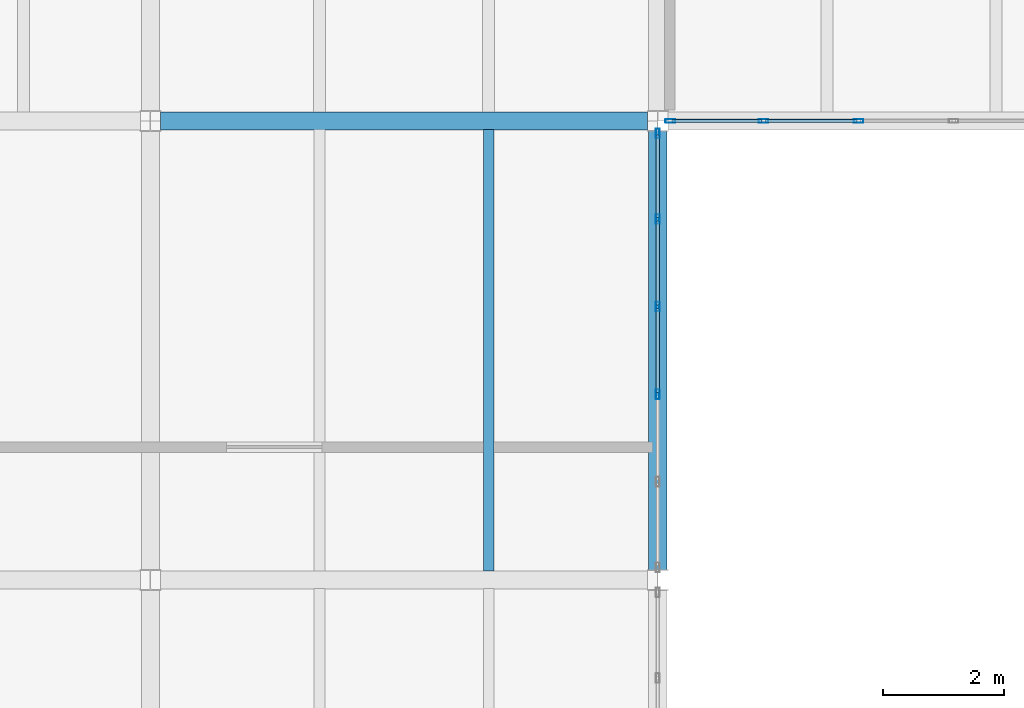
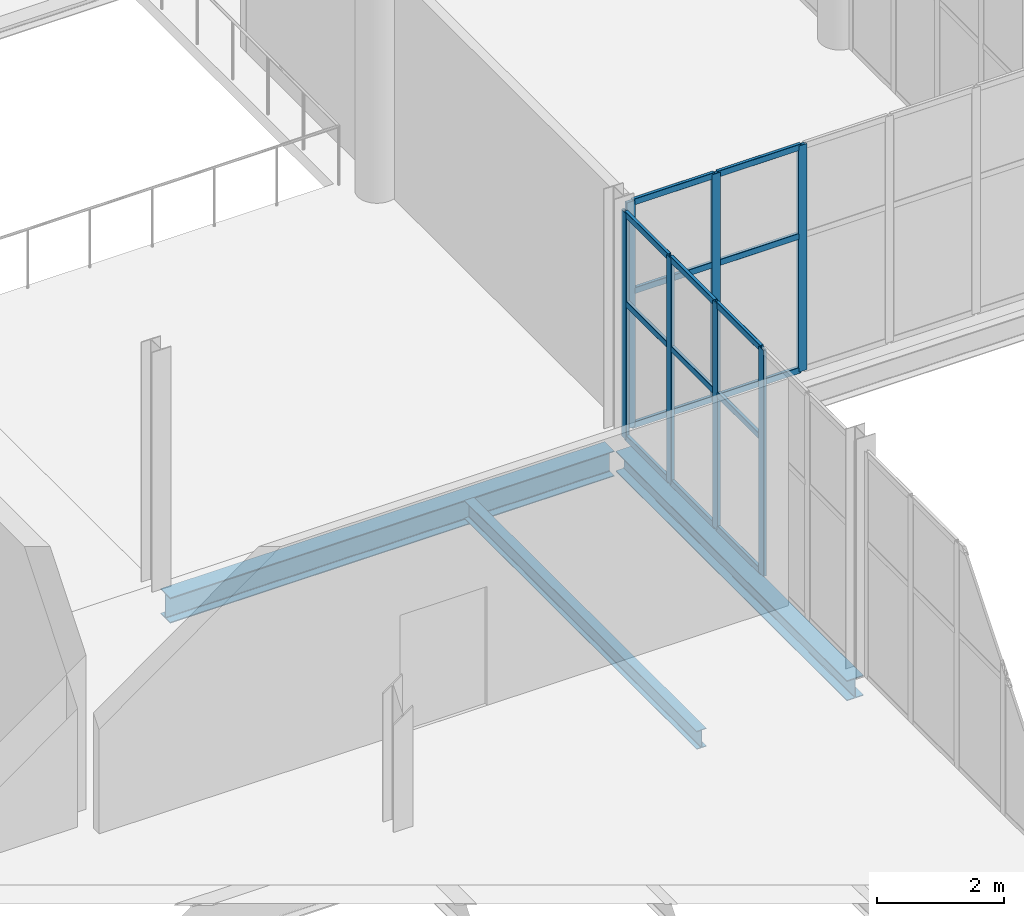
# One storey, part 16 of 74: 22 members, 3 beams, 2 elements without a shape of their own.
"""IFC4 building model written with IfcOpenShell, lengths in metres."""

import ifcopenshell
import ifcopenshell.guid

model = None  # the IFC model being written
_history = None  # IfcOwnerHistory: only IFC2X3 demands one
_inside = {}  # id of a spatial element -> (the spatial element, [elements in it])
_under = {}  # id of a project, library or spatial element -> (it, [spatial elements below it])
_declared = {}  # id of a project -> (the project, [libraries it declares])
_typed = {}  # id of a type object -> (the type object, [elements of that type])
_made_of = {}  # id of a material, layer set ... -> (it, [elements and type objects made of it])


def new_model(schema):
    """Start an empty IFC model of exactly this schema.

    Asked for "IFC4X3", IfcOpenShell would pick the latest addendum, in which some entities
    have other attributes; the version numbers below select the first issue.
    IFC2X3 requires an IfcOwnerHistory on every rooted entity: one is made here for all.
    """
    global model, _history
    if schema == "IFC4X3":
        model = ifcopenshell.file(schema_version=(4, 3, 0, 0))
    else:
        model = ifcopenshell.file(schema=schema)
    _inside.clear()
    _under.clear()
    _declared.clear()
    _typed.clear()
    _made_of.clear()
    _history = None
    if model.schema == "IFC2X3":
        org = make("IfcOrganization", Name="unknown")
        user = make(
            "IfcPersonAndOrganization",
            ThePerson=make("IfcPerson", FamilyName="unknown"),
            TheOrganization=org,
        )
        app = make(
            "IfcApplication",
            ApplicationDeveloper=org,
            Version="unknown",
            ApplicationFullName="unknown",
            ApplicationIdentifier="unknown",
        )
        _history = make(
            "IfcOwnerHistory",
            OwningUser=user,
            OwningApplication=app,
            ChangeAction="ADDED",
            CreationDate=0,
        )
    return model


def make(cls, **values):
    """One entity of the class cls with the attributes given. An attribute that is None is left unset."""
    return model.create_entity(
        cls, **{name: value for name, value in values.items() if value is not None}
    )


def rooted(cls, **values):
    """An entity with a GlobalId (a new one), such as an element, a storey or a relation."""
    return make(cls, GlobalId=ifcopenshell.guid.new(), OwnerHistory=_history, **values)


def si_unit(unit_type, name, prefix=None):
    """IfcSIUnit, for example si_unit("LENGTHUNIT", "METRE", prefix="MILLI")."""
    return make("IfcSIUnit", UnitType=unit_type, Prefix=prefix, Name=name)


def assignment(units):
    """IfcUnitAssignment: the units of a project."""
    return None if units is None else make("IfcUnitAssignment", Units=units)


def point(xyz):
    """IfcCartesianPoint."""
    return None if xyz is None else make("IfcCartesianPoint", Coordinates=xyz)


def direction(xyz):
    """IfcDirection."""
    return None if xyz is None else make("IfcDirection", DirectionRatios=xyz)


def frame(location, z_axis=None, x_axis=None):
    """IfcAxis2Placement3D, a coordinate frame: its origin and axes. An axis left out is left unset."""
    return make(
        "IfcAxis2Placement3D",
        Location=point(location),
        Axis=direction(z_axis),
        RefDirection=direction(x_axis),
    )


def frame_2d(location, x_axis=None):
    """IfcAxis2Placement2D, a coordinate frame in the plane: its origin and x axis."""
    return make(
        "IfcAxis2Placement2D", Location=point(location), RefDirection=direction(x_axis)
    )


def origin():
    """The frame at (0, 0, 0) with its axes left unset."""
    return frame((0.0, 0.0, 0.0))


def origin_2d():
    """The frame at (0, 0) in the plane with its x axis left unset."""
    return frame_2d((0.0, 0.0))


def place(relative_to, where):
    """IfcLocalPlacement: puts the frame where relative to a parent placement (None: the world)."""
    return make(
        "IfcLocalPlacement", PlacementRelTo=relative_to, RelativePlacement=where
    )


def context(
    kind, dimensions, precision=None, world=None, true_north=None, identifier=None
):
    """IfcGeometricRepresentationContext, for example the 3D "Model" context."""
    return make(
        "IfcGeometricRepresentationContext",
        ContextIdentifier=identifier,
        ContextType=kind,
        CoordinateSpaceDimension=dimensions,
        Precision=precision,
        WorldCoordinateSystem=world,
        TrueNorth=true_north,
    )


def subcontext(parent, identifier, kind, view, scale=None):
    """IfcGeometricRepresentationSubContext, for example "Body" below "Model"."""
    return make(
        "IfcGeometricRepresentationSubContext",
        ContextIdentifier=identifier,
        ContextType=kind,
        ParentContext=parent,
        TargetScale=scale,
        TargetView=view,
    )


def project(units=None, contexts=None):
    """IfcProject with its units and contexts."""
    return rooted(
        "IfcProject",
        Name="project",
        RepresentationContexts=contexts,
        UnitsInContext=assignment(units),
    )


def spatial(cls, under=None, at=None, **own):
    """A site, building, storey or space (cls), placed at a placement, below another one or the project."""
    s = rooted(cls, ObjectPlacement=at, **own)
    if under is not None:
        _under.setdefault(under.id(), (under, []))[1].append(s)
    return s


def profile(cls, at=None, kind="AREA", **sizes):
    """A parametric profile (cls). Its sizes go by their IFC names, for example OverallWidth=200.0."""
    return make(cls, ProfileType=kind, Position=at, **sizes)


def hollow_rectangle(**sizes):
    """IfcRectangleHollowProfileDef."""
    return profile("IfcRectangleHollowProfileDef", **sizes)


def i_section(**sizes):
    """IfcIShapeProfileDef."""
    return profile("IfcIShapeProfileDef", **sizes)


def extrude(swept, where, along, depth):
    """IfcExtrudedAreaSolid: the profile swept, set in the frame where, extruded along a direction by depth."""
    return make(
        "IfcExtrudedAreaSolid",
        SweptArea=swept,
        Position=where,
        ExtrudedDirection=direction(along),
        Depth=depth,
    )


def shape(context_of_items, identifier, shape_type, items):
    """IfcShapeRepresentation: the items that make up one representation, for example the "Body"."""
    return make(
        "IfcShapeRepresentation",
        ContextOfItems=context_of_items,
        RepresentationIdentifier=identifier,
        RepresentationType=shape_type,
        Items=items,
    )


def material(Name=None, Category=None):
    """IfcMaterial."""
    return make("IfcMaterial", Name=Name, Category=Category)


def material_profile(
    of_material, cross_section, Name=None, Category=None, Priority=None
):
    """IfcMaterialProfile: a cross section and its material."""
    return make(
        "IfcMaterialProfile",
        Name=Name,
        Material=of_material,
        Profile=cross_section,
        Priority=Priority,
        Category=Category,
    )


def profile_set(profiles, Name=None, composite=None):
    """IfcMaterialProfileSet."""
    return make(
        "IfcMaterialProfileSet",
        Name=Name,
        MaterialProfiles=profiles,
        CompositeProfile=composite,
    )


def made_of(thing, what):
    """Note that an element or type object is made of a material, layer set ...; save() writes the relation."""
    if what is not None:
        _made_of.setdefault(what.id(), (what, []))[1].append(thing)
    return thing


def type_object(cls, material=None, **own):
    """A type object (cls), such as IfcWallType, which elements share."""
    return made_of(rooted(cls, **own), material)


def element(
    cls,
    number,
    at=None,
    inside=None,
    cuts=None,
    type_object=None,
    material=None,
    context=None,
    identifier="Body",
    shape_type=None,
    held_by="IfcProductDefinitionShape",
    body=None,
    shapes=None,
    **own,
):
    """One element of the class cls, such as IfcWall. Its Tag is "e" and its number.

    at: its placement. inside: the storey or other place that contains it. cuts: it is an
    opening in that element (IfcRelVoidsElement). A single representation is given by context,
    identifier, shape_type and body (its items); several are given by shapes. held_by: the class
    of the entity that holds the representations. save() writes the other relations.
    """
    e = rooted(cls, Tag="e%d" % number, ObjectPlacement=at, **own)
    if body is not None:
        shapes = [shape(context, identifier, shape_type, body)]
    if shapes is not None:
        e.Representation = make(held_by, Representations=shapes)
    if inside is not None:
        _inside.setdefault(inside.id(), (inside, []))[1].append(e)
    if cuts is not None:
        rooted(
            "IfcRelVoidsElement", RelatingBuildingElement=cuts, RelatedOpeningElement=e
        )
    if type_object is not None:
        _typed.setdefault(type_object.id(), (type_object, []))[1].append(e)
    return made_of(e, material)


def aggregate(whole, parts):
    """IfcRelAggregates: a whole, such as a stair, and the parts it consists of."""
    return rooted("IfcRelAggregates", RelatingObject=whole, RelatedObjects=parts)


def save(model, path):
    """Write the relations noted so far, then the file.

    IfcRelAggregates (storeys below a building ...), IfcRelContainedInSpatialStructure (elements
    in a storey), IfcRelDefinesByType, IfcRelAssociatesMaterial and IfcRelDeclares: one each for
    every whole, place, type object, material and project.
    """
    for whole, parts in _under.values():
        aggregate(whole, parts)
    for where, things in _inside.values():
        rooted(
            "IfcRelContainedInSpatialStructure",
            RelatedElements=things,
            RelatingStructure=where,
        )
    for kind, things in _typed.values():
        rooted("IfcRelDefinesByType", RelatedObjects=things, RelatingType=kind)
    for what, things in _made_of.values():
        rooted("IfcRelAssociatesMaterial", RelatedObjects=things, RelatingMaterial=what)
    for by, libraries in _declared.values():
        rooted("IfcRelDeclares", RelatingContext=by, RelatedDefinitions=libraries)
    model.write(path)


model = new_model("IFC4")

# Units and contexts
model_context = context("Model", 3, precision=1e-05, world=origin(), true_north=direction((0.0, 1.0)))
body_context = subcontext(model_context, "Body", "Model", "MODEL_VIEW")
ifc_project = project(units=[si_unit("LENGTHUNIT", "METRE"), si_unit("AREAUNIT", "SQUARE_METRE"), si_unit("VOLUMEUNIT", "CUBIC_METRE"), si_unit("PLANEANGLEUNIT", "RADIAN"), si_unit("MASSUNIT", "GRAM", prefix="KILO")], contexts=[model_context])

# Site, building, storey
site_placement = place(None, origin())
site = spatial("IfcSite", under=ifc_project, at=site_placement, CompositionType="ELEMENT")
building_placement = place(site_placement, origin())
building = spatial("IfcBuilding", under=site, at=building_placement, Name="Shengluoqiao Park Theatre", CompositionType="ELEMENT")
storey_placement = place(building_placement, frame((0.0, 0.0, 14.60009765625)))
storey = spatial("IfcBuildingStorey", under=building, at=storey_placement, Name="L03", CompositionType="ELEMENT", Elevation=14.60009765625)

# Curtain wall, members
ifc_material_1 = material(Name="Aluminium 6063-T6", Category="aluminium")
curtain_wall_type_1 = type_object("IfcCurtainWallType", Name="ENV-CW-COURT", PredefinedType="NOTDEFINED", material=ifc_material_1)
curtain_wall_1_placement = place(storey_placement, origin())
curtain_wall_1 = element("IfcCurtainWall", 1, at=curtain_wall_1_placement, inside=storey, type_object=curtain_wall_type_1, Name="L03 Curtain Wall CWX-L03-0035", PredefinedType="NOTDEFINED")
ifc_material_profile_1 = material_profile(ifc_material_1, hollow_rectangle(XDim=0.06005859375, YDim=0.159912109375, WallThickness=0.00390625, InnerFilletRadius=0.00390625, OuterFilletRadius=0.008056640625, at=origin_2d()), Name="ALU MULLION 160x60x4")
ifc_profile_set_1 = profile_set([ifc_material_profile_1], Name="Aluminium 6063-T6")
member_type_1 = type_object("IfcMemberType", Name="ENV-MUL-160", PredefinedType="MULLION", material=ifc_profile_set_1)
member_1_placement = place(storey_placement, frame((36.0, 48.67529296875, 0.0), z_axis=(0.0, 0.0, 1.0), x_axis=(-1.0, 0.0, 0.0)))
member_1 = element("IfcMember", 2, at=member_1_placement, type_object=member_type_1, Name="CW-05 mullion 3", PredefinedType="MULLION", context=body_context, shape_type="SweptSolid", body=[
    extrude(hollow_rectangle(XDim=0.06005859375, YDim=0.159912109375, WallThickness=0.00390625, InnerFilletRadius=0.00390625, OuterFilletRadius=0.008056640625, at=origin_2d()), origin(), (0.0, 0.0, 1.0), 4.33984375),
])
member_2_placement = place(storey_placement, frame((36.0, 50.124755859375, 0.0), z_axis=(0.0, 0.0, 1.0), x_axis=(-1.0, 0.0, 0.0)))
member_2 = element("IfcMember", 3, at=member_2_placement, type_object=member_type_1, Name="CW-05 mullion 4", PredefinedType="MULLION", context=body_context, shape_type="SweptSolid", body=[
    extrude(hollow_rectangle(XDim=0.06005859375, YDim=0.159912109375, WallThickness=0.00390625, InnerFilletRadius=0.00390625, OuterFilletRadius=0.008056640625, at=origin_2d()), origin(), (0.0, 0.0, 1.0), 4.33984375),
])
member_3_placement = place(storey_placement, frame((36.0, 51.574462890625, 0.0), z_axis=(0.0, 0.0, 1.0), x_axis=(-1.0, 0.0, 0.0)))
member_3 = element("IfcMember", 4, at=member_3_placement, type_object=member_type_1, Name="CW-05 mullion 5", PredefinedType="MULLION", context=body_context, shape_type="SweptSolid", body=[
    extrude(hollow_rectangle(XDim=0.06005859375, YDim=0.159912109375, WallThickness=0.00390625, InnerFilletRadius=0.00390625, OuterFilletRadius=0.008056640625, at=origin_2d()), origin(), (0.0, 0.0, 1.0), 4.33984375),
])
member_4_placement = place(storey_placement, frame((36.0, 52.993896484375, 0.0), z_axis=(0.0, 0.0, 1.0), x_axis=(-1.0, 0.0, 0.0)))
member_4 = element("IfcMember", 5, at=member_4_placement, type_object=member_type_1, Name="CW-05 mullion 6", PredefinedType="MULLION", context=body_context, shape_type="SweptSolid", body=[
    extrude(hollow_rectangle(XDim=0.06005859375, YDim=0.159912109375, WallThickness=0.00390625, InnerFilletRadius=0.00390625, OuterFilletRadius=0.008056640625, at=origin_2d()), origin(), (0.0, 0.0, 1.0), 4.33984375),
])

curtain_wall_type_2 = type_object("IfcCurtainWallType", Name="ENV-CW-FOYER", PredefinedType="NOTDEFINED", material=ifc_material_1)
curtain_wall_2_placement = place(storey_placement, origin())
curtain_wall_2 = element("IfcCurtainWall", 6, at=curtain_wall_2_placement, inside=storey, type_object=curtain_wall_type_2, Name="L03 Curtain Wall CWX-L03-0217", PredefinedType="NOTDEFINED")
member_5_placement = place(storey_placement, frame((36.2080078125, 53.199951171875, 0.0), z_axis=(0.0, 0.0, 1.0), x_axis=(0.0, 1.0, 0.0)))
member_5 = element("IfcMember", 7, at=member_5_placement, type_object=member_type_1, Name="CW-01 mullion 1", PredefinedType="MULLION", context=body_context, shape_type="SweptSolid", body=[
    extrude(hollow_rectangle(XDim=0.06005859375, YDim=0.159912109375, WallThickness=0.00390625, InnerFilletRadius=0.00390625, OuterFilletRadius=0.008056640625, at=origin_2d()), origin(), (0.0, 0.0, 1.0), 4.33984375),
])
member_6_placement = place(storey_placement, frame((37.751708984375, 53.199951171875, 0.0), z_axis=(0.0, 0.0, 1.0), x_axis=(0.0, 1.0, 0.0)))
member_6 = element("IfcMember", 8, at=member_6_placement, type_object=member_type_1, Name="CW-01 mullion 2", PredefinedType="MULLION", context=body_context, shape_type="SweptSolid", body=[
    extrude(hollow_rectangle(XDim=0.06005859375, YDim=0.159912109375, WallThickness=0.00390625, InnerFilletRadius=0.00390625, OuterFilletRadius=0.008056640625, at=origin_2d()), origin(), (0.0, 0.0, 1.0), 4.33984375),
])
member_7_placement = place(storey_placement, frame((39.3251953125, 53.199951171875, 0.0), z_axis=(0.0, 0.0, 1.0), x_axis=(0.0, 1.0, 0.0)))
member_7 = element("IfcMember", 9, at=member_7_placement, type_object=member_type_1, Name="CW-01 mullion 3", PredefinedType="MULLION", context=body_context, shape_type="SweptSolid", body=[
    extrude(hollow_rectangle(XDim=0.06005859375, YDim=0.159912109375, WallThickness=0.00390625, InnerFilletRadius=0.00390625, OuterFilletRadius=0.008056640625, at=origin_2d()), origin(), (0.0, 0.0, 1.0), 4.33984375),
])

# Member
ifc_material_profile_2 = material_profile(ifc_material_1, hollow_rectangle(XDim=0.06005859375, YDim=0.1201171875, WallThickness=0.00390625, InnerFilletRadius=0.00390625, OuterFilletRadius=0.008056640625, at=origin_2d()), Name="ALU TRANSOM 120x60x4")
ifc_profile_set_2 = profile_set([ifc_material_profile_2], Name="Aluminium 6063-T6")
member_type_2 = type_object("IfcMemberType", Name="ENV-TRN-120", PredefinedType="USERDEFINED", material=ifc_profile_set_2)
member_8_placement = place(storey_placement, frame((36.0, 48.705078125, 0.02978515625), z_axis=(0.0, 1.0, 0.0), x_axis=(-1.0, 0.0, 0.0)))
member_8 = element("IfcMember", 10, at=member_8_placement, type_object=member_type_2, Name="CW-05 transom 3.1", ObjectType="TRANSOM", PredefinedType="USERDEFINED", context=body_context, shape_type="SweptSolid", body=[
    extrude(hollow_rectangle(XDim=0.06005859375, YDim=0.1201171875, WallThickness=0.00390625, InnerFilletRadius=0.00390625, OuterFilletRadius=0.008056640625, at=origin_2d()), origin(), (0.0, 0.0, 1.0), 1.3896484375),
])

member_9_placement = place(storey_placement, frame((36.0, 48.705078125, 2.60400390625), z_axis=(0.0, 1.0, 0.0), x_axis=(-1.0, 0.0, 0.0)))
member_9 = element("IfcMember", 11, at=member_9_placement, type_object=member_type_2, Name="CW-05 transom 3.2", ObjectType="TRANSOM", PredefinedType="USERDEFINED", context=body_context, shape_type="SweptSolid", body=[
    extrude(hollow_rectangle(XDim=0.06005859375, YDim=0.1201171875, WallThickness=0.00390625, InnerFilletRadius=0.00390625, OuterFilletRadius=0.008056640625, at=origin_2d()), origin(), (0.0, 0.0, 1.0), 1.3896484375),
])

member_10_placement = place(storey_placement, frame((36.0, 48.705078125, 4.309814453125), z_axis=(0.0, 1.0, 0.0), x_axis=(-1.0, 0.0, 0.0)))
member_10 = element("IfcMember", 12, at=member_10_placement, type_object=member_type_2, Name="CW-05 transom 3.3", ObjectType="TRANSOM", PredefinedType="USERDEFINED", context=body_context, shape_type="SweptSolid", body=[
    extrude(hollow_rectangle(XDim=0.06005859375, YDim=0.1201171875, WallThickness=0.00390625, InnerFilletRadius=0.00390625, OuterFilletRadius=0.008056640625, at=origin_2d()), origin(), (0.0, 0.0, 1.0), 1.3896484375),
])

member_11_placement = place(storey_placement, frame((36.0, 50.15478515625, 0.02978515625), z_axis=(0.0, 1.0, 0.0), x_axis=(-1.0, 0.0, 0.0)))
member_11 = element("IfcMember", 13, at=member_11_placement, type_object=member_type_2, Name="CW-05 transom 4.1", ObjectType="TRANSOM", PredefinedType="USERDEFINED", context=body_context, shape_type="SweptSolid", body=[
    extrude(hollow_rectangle(XDim=0.06005859375, YDim=0.1201171875, WallThickness=0.00390625, InnerFilletRadius=0.00390625, OuterFilletRadius=0.008056640625, at=origin_2d()), origin(), (0.0, 0.0, 1.0), 1.3896484375),
])

member_12_placement = place(storey_placement, frame((36.0, 50.15478515625, 2.60400390625), z_axis=(0.0, 1.0, 0.0), x_axis=(-1.0, 0.0, 0.0)))
member_12 = element("IfcMember", 14, at=member_12_placement, type_object=member_type_2, Name="CW-05 transom 4.2", ObjectType="TRANSOM", PredefinedType="USERDEFINED", context=body_context, shape_type="SweptSolid", body=[
    extrude(hollow_rectangle(XDim=0.06005859375, YDim=0.1201171875, WallThickness=0.00390625, InnerFilletRadius=0.00390625, OuterFilletRadius=0.008056640625, at=origin_2d()), origin(), (0.0, 0.0, 1.0), 1.3896484375),
])

member_13_placement = place(storey_placement, frame((36.0, 50.15478515625, 4.309814453125), z_axis=(0.0, 1.0, 0.0), x_axis=(-1.0, 0.0, 0.0)))
member_13 = element("IfcMember", 15, at=member_13_placement, type_object=member_type_2, Name="CW-05 transom 4.3", ObjectType="TRANSOM", PredefinedType="USERDEFINED", context=body_context, shape_type="SweptSolid", body=[
    extrude(hollow_rectangle(XDim=0.06005859375, YDim=0.1201171875, WallThickness=0.00390625, InnerFilletRadius=0.00390625, OuterFilletRadius=0.008056640625, at=origin_2d()), origin(), (0.0, 0.0, 1.0), 1.3896484375),
])

member_14_placement = place(storey_placement, frame((36.0, 51.6044921875, 0.02978515625), z_axis=(0.0, 1.0, 0.0), x_axis=(-1.0, 0.0, 0.0)))
member_14 = element("IfcMember", 16, at=member_14_placement, type_object=member_type_2, Name="CW-05 transom 5.1", ObjectType="TRANSOM", PredefinedType="USERDEFINED", context=body_context, shape_type="SweptSolid", body=[
    extrude(hollow_rectangle(XDim=0.06005859375, YDim=0.1201171875, WallThickness=0.00390625, InnerFilletRadius=0.00390625, OuterFilletRadius=0.008056640625, at=origin_2d()), origin(), (0.0, 0.0, 1.0), 1.359619140625),
])

member_15_placement = place(storey_placement, frame((36.0, 51.6044921875, 2.60400390625), z_axis=(0.0, 1.0, 0.0), x_axis=(-1.0, 0.0, 0.0)))
member_15 = element("IfcMember", 17, at=member_15_placement, type_object=member_type_2, Name="CW-05 transom 5.2", ObjectType="TRANSOM", PredefinedType="USERDEFINED", context=body_context, shape_type="SweptSolid", body=[
    extrude(hollow_rectangle(XDim=0.06005859375, YDim=0.1201171875, WallThickness=0.00390625, InnerFilletRadius=0.00390625, OuterFilletRadius=0.008056640625, at=origin_2d()), origin(), (0.0, 0.0, 1.0), 1.359619140625),
])

member_16_placement = place(storey_placement, frame((36.0, 51.6044921875, 4.309814453125), z_axis=(0.0, 1.0, 0.0), x_axis=(-1.0, 0.0, 0.0)))
member_16 = element("IfcMember", 18, at=member_16_placement, type_object=member_type_2, Name="CW-05 transom 5.3", ObjectType="TRANSOM", PredefinedType="USERDEFINED", context=body_context, shape_type="SweptSolid", body=[
    extrude(hollow_rectangle(XDim=0.06005859375, YDim=0.1201171875, WallThickness=0.00390625, InnerFilletRadius=0.00390625, OuterFilletRadius=0.008056640625, at=origin_2d()), origin(), (0.0, 0.0, 1.0), 1.359619140625),
])

aggregate(curtain_wall_1, [member_1, member_2, member_3, member_4, member_8, member_9, member_10, member_11, member_12, member_13, member_14, member_15, member_16])

member_17_placement = place(storey_placement, frame((36.238037109375, 53.199951171875, 0.02978515625), z_axis=(1.0, 0.0, 0.0), x_axis=(0.0, 1.0, 0.0)))
member_17 = element("IfcMember", 19, at=member_17_placement, type_object=member_type_2, Name="CW-01 transom 1.1", ObjectType="TRANSOM", PredefinedType="USERDEFINED", context=body_context, shape_type="SweptSolid", body=[
    extrude(hollow_rectangle(XDim=0.06005859375, YDim=0.1201171875, WallThickness=0.00390625, InnerFilletRadius=0.00390625, OuterFilletRadius=0.008056640625, at=origin_2d()), origin(), (0.0, 0.0, 1.0), 1.483642578125),
])

member_18_placement = place(storey_placement, frame((36.238037109375, 53.199951171875, 2.60400390625), z_axis=(1.0, 0.0, 0.0), x_axis=(0.0, 1.0, 0.0)))
member_18 = element("IfcMember", 20, at=member_18_placement, type_object=member_type_2, Name="CW-01 transom 1.2", ObjectType="TRANSOM", PredefinedType="USERDEFINED", context=body_context, shape_type="SweptSolid", body=[
    extrude(hollow_rectangle(XDim=0.06005859375, YDim=0.1201171875, WallThickness=0.00390625, InnerFilletRadius=0.00390625, OuterFilletRadius=0.008056640625, at=origin_2d()), origin(), (0.0, 0.0, 1.0), 1.483642578125),
])

member_19_placement = place(storey_placement, frame((36.238037109375, 53.199951171875, 4.309814453125), z_axis=(1.0, 0.0, 0.0), x_axis=(0.0, 1.0, 0.0)))
member_19 = element("IfcMember", 21, at=member_19_placement, type_object=member_type_2, Name="CW-01 transom 1.3", ObjectType="TRANSOM", PredefinedType="USERDEFINED", context=body_context, shape_type="SweptSolid", body=[
    extrude(hollow_rectangle(XDim=0.06005859375, YDim=0.1201171875, WallThickness=0.00390625, InnerFilletRadius=0.00390625, OuterFilletRadius=0.008056640625, at=origin_2d()), origin(), (0.0, 0.0, 1.0), 1.483642578125),
])

member_20_placement = place(storey_placement, frame((37.781494140625, 53.199951171875, 0.02978515625), z_axis=(1.0, 0.0, 0.0), x_axis=(0.0, 1.0, 0.0)))
member_20 = element("IfcMember", 22, at=member_20_placement, type_object=member_type_2, Name="CW-01 transom 2.1", ObjectType="TRANSOM", PredefinedType="USERDEFINED", context=body_context, shape_type="SweptSolid", body=[
    extrude(hollow_rectangle(XDim=0.06005859375, YDim=0.1201171875, WallThickness=0.00390625, InnerFilletRadius=0.00390625, OuterFilletRadius=0.008056640625, at=origin_2d()), origin(), (0.0, 0.0, 1.0), 1.513671875),
])

member_21_placement = place(storey_placement, frame((37.781494140625, 53.199951171875, 2.60400390625), z_axis=(1.0, 0.0, 0.0), x_axis=(0.0, 1.0, 0.0)))
member_21 = element("IfcMember", 23, at=member_21_placement, type_object=member_type_2, Name="CW-01 transom 2.2", ObjectType="TRANSOM", PredefinedType="USERDEFINED", context=body_context, shape_type="SweptSolid", body=[
    extrude(hollow_rectangle(XDim=0.06005859375, YDim=0.1201171875, WallThickness=0.00390625, InnerFilletRadius=0.00390625, OuterFilletRadius=0.008056640625, at=origin_2d()), origin(), (0.0, 0.0, 1.0), 1.513671875),
])

member_22_placement = place(storey_placement, frame((37.781494140625, 53.199951171875, 4.309814453125), z_axis=(1.0, 0.0, 0.0), x_axis=(0.0, 1.0, 0.0)))
member_22 = element("IfcMember", 24, at=member_22_placement, type_object=member_type_2, Name="CW-01 transom 2.3", ObjectType="TRANSOM", PredefinedType="USERDEFINED", context=body_context, shape_type="SweptSolid", body=[
    extrude(hollow_rectangle(XDim=0.06005859375, YDim=0.1201171875, WallThickness=0.00390625, InnerFilletRadius=0.00390625, OuterFilletRadius=0.008056640625, at=origin_2d()), origin(), (0.0, 0.0, 1.0), 1.513671875),
])

aggregate(curtain_wall_2, [member_5, member_6, member_7, member_17, member_18, member_19, member_20, member_21, member_22])

# Beams
ifc_material_2 = material(Name="Steel Q355", Category="steel")
ifc_material_profile_3 = material_profile(ifc_material_2, i_section(OverallWidth=0.300048828125, OverallDepth=0.389892578125, WebThickness=0.010009765625, FlangeThickness=0.01611328125, FilletRadius=0.01806640625, at=origin_2d()), Name="HM 390x300x10x16")
ifc_profile_set_3 = profile_set([ifc_material_profile_3], Name="Steel Q355")
beam_type_1 = type_object("IfcBeamType", Name="STR-BM-G-HM390", PredefinedType="BEAM", material=ifc_profile_set_3)
beam_1_placement = place(storey_placement, frame((36.0, 45.76611328125, -0.43505859375), z_axis=(0.0, 1.0, 0.0), x_axis=(-1.0, 0.0, 0.0)))
element("IfcBeam", 25, at=beam_1_placement, inside=storey, type_object=beam_type_1, Name="L03 Transverse Girder 01302", PredefinedType="BEAM", context=body_context, shape_type="SweptSolid", body=[
    extrude(i_section(OverallWidth=0.300048828125, OverallDepth=0.389892578125, WebThickness=0.010009765625, FlangeThickness=0.01611328125, FilletRadius=0.01806640625, at=origin_2d()), origin(), (0.0, 0.0, 1.0), 7.267822265625),
])
ifc_material_profile_4 = material_profile(ifc_material_2, i_section(OverallWidth=0.300048828125, OverallDepth=0.488037109375, WebThickness=0.010986328125, FlangeThickness=0.01806640625, FilletRadius=0.02197265625, at=origin_2d()), Name="HM 488x300x11x18")
ifc_profile_set_4 = profile_set([ifc_material_profile_4], Name="Steel Q355")
beam_type_2 = type_object("IfcBeamType", Name="STR-BM-G-HM488", PredefinedType="BEAM", material=ifc_profile_set_4)
beam_2_placement = place(storey_placement, frame((27.76806640625, 53.199951171875, -0.484130859375), z_axis=(1.0, 0.0, 0.0), x_axis=(0.0, 1.0, 0.0)))
element("IfcBeam", 26, at=beam_2_placement, inside=storey, type_object=beam_type_2, Name="L03 Primary Girder 01296", PredefinedType="BEAM", context=body_context, shape_type="SweptSolid", body=[
    extrude(i_section(OverallWidth=0.300048828125, OverallDepth=0.488037109375, WebThickness=0.010986328125, FlangeThickness=0.01806640625, FilletRadius=0.02197265625, at=origin_2d()), origin(), (0.0, 0.0, 1.0), 8.06396484375),
])
ifc_material_profile_5 = material_profile(ifc_material_2, i_section(OverallWidth=0.175048828125, OverallDepth=0.35009765625, WebThickness=0.007080078125, FlangeThickness=0.010986328125, FilletRadius=0.013916015625, at=origin_2d()), Name="HN 350x175x7x11")
ifc_profile_set_5 = profile_set([ifc_material_profile_5], Name="Steel Q355")
beam_type_3 = type_object("IfcBeamType", Name="STR-BM-J-HN350", PredefinedType="JOIST", material=ifc_profile_set_5)
beam_3_placement = place(storey_placement, frame((33.199951171875, 45.7451171875, -0.4150390625), z_axis=(0.0, 1.0, 0.0), x_axis=(-1.0, 0.0, 0.0)))
element("IfcBeam", 27, at=beam_3_placement, inside=storey, type_object=beam_type_3, Name="L03 Composite Joist 01308", PredefinedType="JOIST", context=body_context, shape_type="SweptSolid", body=[
    extrude(i_section(OverallWidth=0.175048828125, OverallDepth=0.35009765625, WebThickness=0.007080078125, FlangeThickness=0.010986328125, FilletRadius=0.013916015625, at=origin_2d()), origin(), (0.0, 0.0, 1.0), 7.309814453125),
])

save(model, "model.ifc")
